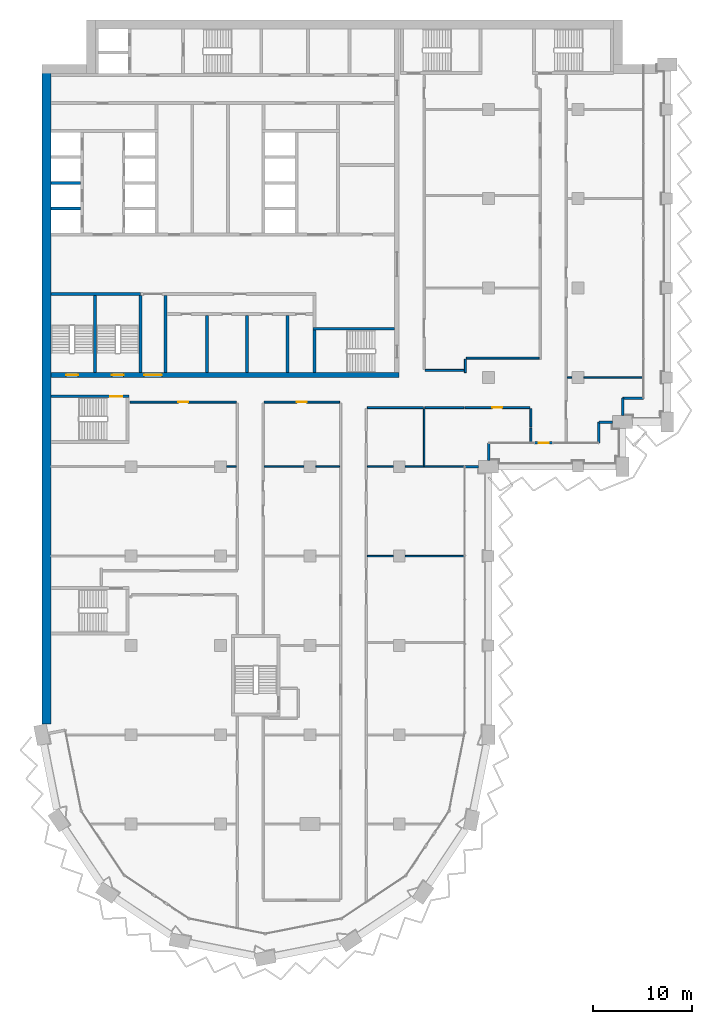
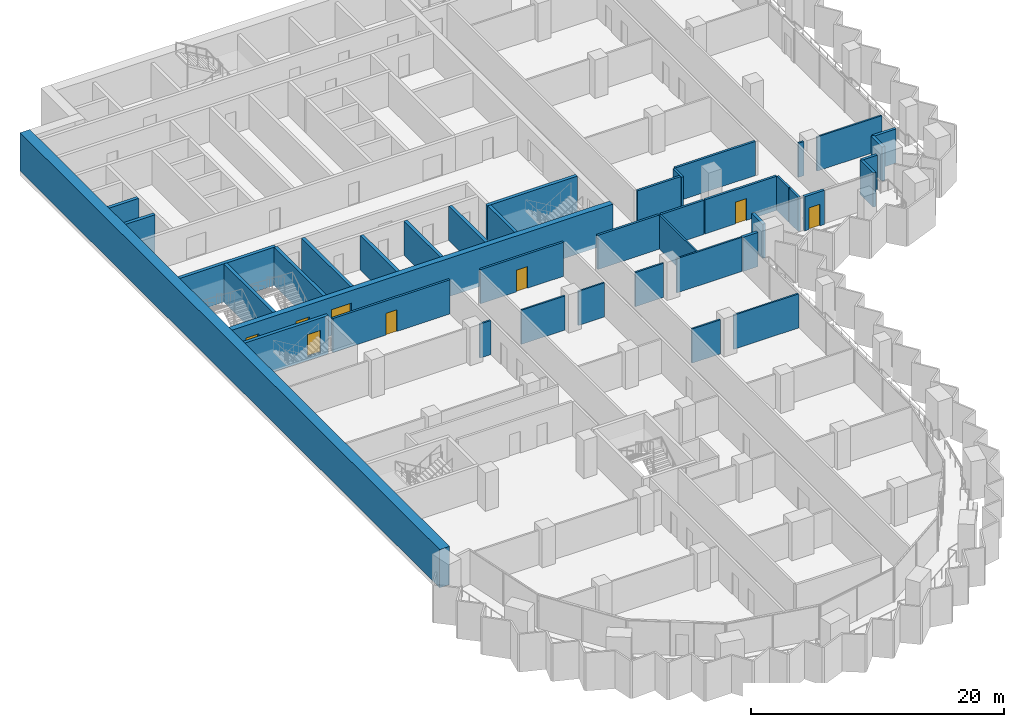
# One storey, part 12 of 23: 41 walls, 8 doors, 8 openings.
"""IFC4 building model written with IfcOpenShell, lengths in metres."""

import ifcopenshell
import ifcopenshell.guid

model = None  # the IFC model being written
_history = None  # IfcOwnerHistory: only IFC2X3 demands one
_inside = {}  # id of a spatial element -> (the spatial element, [elements in it])
_under = {}  # id of a project, library or spatial element -> (it, [spatial elements below it])
_declared = {}  # id of a project -> (the project, [libraries it declares])
_typed = {}  # id of a type object -> (the type object, [elements of that type])
_made_of = {}  # id of a material, layer set ... -> (it, [elements and type objects made of it])


def new_model(schema):
    """Start an empty IFC model of exactly this schema.

    Asked for "IFC4X3", IfcOpenShell would pick the latest addendum, in which some entities
    have other attributes; the version numbers below select the first issue.
    IFC2X3 requires an IfcOwnerHistory on every rooted entity: one is made here for all.
    """
    global model, _history
    if schema == "IFC4X3":
        model = ifcopenshell.file(schema_version=(4, 3, 0, 0))
    else:
        model = ifcopenshell.file(schema=schema)
    _inside.clear()
    _under.clear()
    _declared.clear()
    _typed.clear()
    _made_of.clear()
    _history = None
    if model.schema == "IFC2X3":
        org = make("IfcOrganization", Name="unknown")
        user = make(
            "IfcPersonAndOrganization",
            ThePerson=make("IfcPerson", FamilyName="unknown"),
            TheOrganization=org,
        )
        app = make(
            "IfcApplication",
            ApplicationDeveloper=org,
            Version="unknown",
            ApplicationFullName="unknown",
            ApplicationIdentifier="unknown",
        )
        _history = make(
            "IfcOwnerHistory",
            OwningUser=user,
            OwningApplication=app,
            ChangeAction="ADDED",
            CreationDate=0,
        )
    return model


def make(cls, **values):
    """One entity of the class cls with the attributes given. An attribute that is None is left unset."""
    return model.create_entity(
        cls, **{name: value for name, value in values.items() if value is not None}
    )


def rooted(cls, **values):
    """An entity with a GlobalId (a new one), such as an element, a storey or a relation."""
    return make(cls, GlobalId=ifcopenshell.guid.new(), OwnerHistory=_history, **values)


def si_unit(unit_type, name, prefix=None):
    """IfcSIUnit, for example si_unit("LENGTHUNIT", "METRE", prefix="MILLI")."""
    return make("IfcSIUnit", UnitType=unit_type, Prefix=prefix, Name=name)


def assignment(units):
    """IfcUnitAssignment: the units of a project."""
    return None if units is None else make("IfcUnitAssignment", Units=units)


def point(xyz):
    """IfcCartesianPoint."""
    return None if xyz is None else make("IfcCartesianPoint", Coordinates=xyz)


def direction(xyz):
    """IfcDirection."""
    return None if xyz is None else make("IfcDirection", DirectionRatios=xyz)


def frame(location, z_axis=None, x_axis=None):
    """IfcAxis2Placement3D, a coordinate frame: its origin and axes. An axis left out is left unset."""
    return make(
        "IfcAxis2Placement3D",
        Location=point(location),
        Axis=direction(z_axis),
        RefDirection=direction(x_axis),
    )


def frame_2d(location, x_axis=None):
    """IfcAxis2Placement2D, a coordinate frame in the plane: its origin and x axis."""
    return make(
        "IfcAxis2Placement2D", Location=point(location), RefDirection=direction(x_axis)
    )


def origin():
    """The frame at (0, 0, 0) with its axes left unset."""
    return frame((0.0, 0.0, 0.0))


def place(relative_to, where):
    """IfcLocalPlacement: puts the frame where relative to a parent placement (None: the world)."""
    return make(
        "IfcLocalPlacement", PlacementRelTo=relative_to, RelativePlacement=where
    )


def context(
    kind, dimensions, precision=None, world=None, true_north=None, identifier=None
):
    """IfcGeometricRepresentationContext, for example the 3D "Model" context."""
    return make(
        "IfcGeometricRepresentationContext",
        ContextIdentifier=identifier,
        ContextType=kind,
        CoordinateSpaceDimension=dimensions,
        Precision=precision,
        WorldCoordinateSystem=world,
        TrueNorth=true_north,
    )


def subcontext(parent, identifier, kind, view, scale=None):
    """IfcGeometricRepresentationSubContext, for example "Body" below "Model"."""
    return make(
        "IfcGeometricRepresentationSubContext",
        ContextIdentifier=identifier,
        ContextType=kind,
        ParentContext=parent,
        TargetScale=scale,
        TargetView=view,
    )


def project(units=None, contexts=None):
    """IfcProject with its units and contexts."""
    return rooted(
        "IfcProject",
        Name="project",
        RepresentationContexts=contexts,
        UnitsInContext=assignment(units),
    )


def spatial(cls, under=None, at=None, **own):
    """A site, building, storey or space (cls), placed at a placement, below another one or the project."""
    s = rooted(cls, ObjectPlacement=at, **own)
    if under is not None:
        _under.setdefault(under.id(), (under, []))[1].append(s)
    return s


def profile(cls, at=None, kind="AREA", **sizes):
    """A parametric profile (cls). Its sizes go by their IFC names, for example OverallWidth=200.0."""
    return make(cls, ProfileType=kind, Position=at, **sizes)


def rectangle(**sizes):
    """IfcRectangleProfileDef."""
    return profile("IfcRectangleProfileDef", **sizes)


def extrude(swept, where, along, depth):
    """IfcExtrudedAreaSolid: the profile swept, set in the frame where, extruded along a direction by depth."""
    return make(
        "IfcExtrudedAreaSolid",
        SweptArea=swept,
        Position=where,
        ExtrudedDirection=direction(along),
        Depth=depth,
    )


def shape(context_of_items, identifier, shape_type, items):
    """IfcShapeRepresentation: the items that make up one representation, for example the "Body"."""
    return make(
        "IfcShapeRepresentation",
        ContextOfItems=context_of_items,
        RepresentationIdentifier=identifier,
        RepresentationType=shape_type,
        Items=items,
    )


def material(Name=None, Category=None):
    """IfcMaterial."""
    return make("IfcMaterial", Name=Name, Category=Category)


def layer(
    of_material, thickness, ventilated=None, Name=None, Category=None, Priority=None
):
    """IfcMaterialLayer: one layer of a wall or slab, of a material (None: an air gap)."""
    return make(
        "IfcMaterialLayer",
        Material=of_material,
        LayerThickness=thickness,
        IsVentilated=ventilated,
        Name=Name,
        Category=Category,
        Priority=Priority,
    )


def layer_set(layers, Name=None):
    """IfcMaterialLayerSet."""
    return make("IfcMaterialLayerSet", MaterialLayers=layers, LayerSetName=Name)


def made_of(thing, what):
    """Note that an element or type object is made of a material, layer set ...; save() writes the relation."""
    if what is not None:
        _made_of.setdefault(what.id(), (what, []))[1].append(thing)
    return thing


def type_object(cls, material=None, **own):
    """A type object (cls), such as IfcWallType, which elements share."""
    return made_of(rooted(cls, **own), material)


def element(
    cls,
    number,
    at=None,
    inside=None,
    cuts=None,
    type_object=None,
    material=None,
    context=None,
    identifier="Body",
    shape_type=None,
    held_by="IfcProductDefinitionShape",
    body=None,
    shapes=None,
    **own,
):
    """One element of the class cls, such as IfcWall. Its Tag is "e" and its number.

    at: its placement. inside: the storey or other place that contains it. cuts: it is an
    opening in that element (IfcRelVoidsElement). A single representation is given by context,
    identifier, shape_type and body (its items); several are given by shapes. held_by: the class
    of the entity that holds the representations. save() writes the other relations.
    """
    e = rooted(cls, Tag="e%d" % number, ObjectPlacement=at, **own)
    if body is not None:
        shapes = [shape(context, identifier, shape_type, body)]
    if shapes is not None:
        e.Representation = make(held_by, Representations=shapes)
    if inside is not None:
        _inside.setdefault(inside.id(), (inside, []))[1].append(e)
    if cuts is not None:
        rooted(
            "IfcRelVoidsElement", RelatingBuildingElement=cuts, RelatedOpeningElement=e
        )
    if type_object is not None:
        _typed.setdefault(type_object.id(), (type_object, []))[1].append(e)
    return made_of(e, material)


def fill(opening, filler):
    """IfcRelFillsElement: the door or window that sits in an opening."""
    return rooted(
        "IfcRelFillsElement",
        RelatingOpeningElement=opening,
        RelatedBuildingElement=filler,
    )


def aggregate(whole, parts):
    """IfcRelAggregates: a whole, such as a stair, and the parts it consists of."""
    return rooted("IfcRelAggregates", RelatingObject=whole, RelatedObjects=parts)


def save(model, path):
    """Write the relations noted so far, then the file.

    IfcRelAggregates (storeys below a building ...), IfcRelContainedInSpatialStructure (elements
    in a storey), IfcRelDefinesByType, IfcRelAssociatesMaterial and IfcRelDeclares: one each for
    every whole, place, type object, material and project.
    """
    for whole, parts in _under.values():
        aggregate(whole, parts)
    for where, things in _inside.values():
        rooted(
            "IfcRelContainedInSpatialStructure",
            RelatedElements=things,
            RelatingStructure=where,
        )
    for kind, things in _typed.values():
        rooted("IfcRelDefinesByType", RelatedObjects=things, RelatingType=kind)
    for what, things in _made_of.values():
        rooted("IfcRelAssociatesMaterial", RelatedObjects=things, RelatingMaterial=what)
    for by, libraries in _declared.values():
        rooted("IfcRelDeclares", RelatingContext=by, RelatedDefinitions=libraries)
    model.write(path)


model = new_model("IFC4")

# Units and contexts
model_context = context("Model", 3, precision=1e-05, world=origin(), true_north=direction((0.0, 1.0)))
body_context = subcontext(model_context, "Body", "Model", "MODEL_VIEW")
ifc_project = project(units=[si_unit("LENGTHUNIT", "METRE"), si_unit("AREAUNIT", "SQUARE_METRE"), si_unit("VOLUMEUNIT", "CUBIC_METRE"), si_unit("PLANEANGLEUNIT", "RADIAN"), si_unit("MASSUNIT", "GRAM", prefix="KILO")], contexts=[model_context])

# Site, building, storey
site_placement = place(None, origin())
site = spatial("IfcSite", under=ifc_project, at=site_placement, CompositionType="ELEMENT")
building_placement = place(site_placement, origin())
building = spatial("IfcBuilding", under=site, at=building_placement, Name="Hunhe Ridgeline Campus", CompositionType="ELEMENT")
storey_placement = place(building_placement, frame((0.0, 0.0, 152.300048828125)))
storey = spatial("IfcBuildingStorey", under=building, at=storey_placement, Name="L38", CompositionType="ELEMENT", Elevation=152.300048828125)

# Walls
ifc_material_1 = material(Name="Masonry concrete blockwork", Category="masonry")
ifc_layer_1 = layer(ifc_material_1, 0.300048828125)
ifc_layer_set_1 = layer_set([ifc_layer_1], Name="Core room partition 300 concrete block")
wall_type_1 = type_object("IfcWallType", Name="Core room partition 300 concrete block", PredefinedType="PARTITIONING", material=ifc_layer_set_1)
wall_1_placement = place(storey_placement, frame((12.449951171875, 63.5, 0.0), z_axis=(0.0, 0.0, 1.0), x_axis=(0.0, 1.0, 0.0)))
element("IfcWall", 1, at=wall_1_placement, inside=storey, type_object=wall_type_1, Name="L38 core partition 41", PredefinedType="PARTITIONING", context=body_context, shape_type="SweptSolid", body=[
    extrude(rectangle(XDim=7.75, YDim=0.300048828125, at=frame_2d((3.875, 0.0))), origin(), (0.0, 0.0, 1.0), 3.300048828125),
])
for number, where, z_axis, x_axis, name in (
    (2, (16.64990234375, 63.5, 0.0), (0.0, 0.0, 1.0), (0.0, 1.0, 0.0), "L38 core partition 44"),
    (3, (20.64990234375, 63.5, 0.0), (0.0, 0.0, 1.0), (0.0, 1.0, 0.0), "L38 core partition 47"),
    (4, (24.75, 63.5, 0.0), (0.0, 0.0, 1.0), (0.0, 1.0, 0.0), "L38 core partition 52"),
):
    element("IfcWall", number, at=place(storey_placement, frame(where, z_axis=z_axis, x_axis=x_axis)), inside=storey, type_object=wall_type_1, Name=name, PredefinedType="PARTITIONING", context=body_context, shape_type="SweptSolid", body=[
        extrude(rectangle(XDim=5.75, YDim=0.300048828125, at=frame_2d((2.875, 0.0))), origin(), (0.0, 0.0, 1.0), 3.300048828125),
    ])

# Wall, openings, doors
ifc_material_2 = material(Name="Concrete C70", Category="concrete")
ifc_layer_2 = layer(ifc_material_2, 0.5)
ifc_layer_set_2 = layer_set([ifc_layer_2], Name="Core wall 500 reinforced concrete C70")
wall_type_2 = type_object("IfcWallType", Name="Core wall 500 reinforced concrete C70", PredefinedType="SOLIDWALL", material=ifc_layer_set_2)
wall_2_placement = place(storey_placement, frame((0.89990234375, 63.25, -0.400146484375), z_axis=(0.0, 0.0, 1.0), x_axis=(1.0, 0.0, 0.0)))
wall_2 = element("IfcWall", 5, at=wall_2_placement, inside=storey, type_object=wall_type_2, Name="L38 core wall 7", PredefinedType="SOLIDWALL", context=body_context, shape_type="SweptSolid", body=[
    extrude(rectangle(XDim=35.10009765625, YDim=0.5, at=frame_2d((17.550048828125, 0.0))), origin(), (0.0, 0.0, 1.0), 3.7001953125),
])
opening_1_placement = place(wall_2_placement, frame((9.39990234375, 0.0, 0.39990234375)))
opening_1 = element("IfcOpeningElement", 6, at=opening_1_placement, cuts=wall_2, Name="Opening CD6", PredefinedType="OPENING", context=body_context, shape_type="SweptSolid", body=[
    extrude(rectangle(XDim=1.800048828125, YDim=2.10009765625, at=frame_2d((0.89990234375, 1.050048828125))), frame((0.0, 0.25, 0.0), z_axis=(0.0, -1.0, 0.0), x_axis=(1.0, 0.0, 0.0)), (0.0, 0.0, 1.0), 0.5),
])
opening_2_placement = place(wall_2_placement, frame((1.550048828125, 0.0, 0.39990234375)))
opening_2 = element("IfcOpeningElement", 7, at=opening_2_placement, cuts=wall_2, Name="Opening CD13", PredefinedType="OPENING", context=body_context, shape_type="SweptSolid", body=[
    extrude(rectangle(XDim=1.199951171875, YDim=2.10009765625, at=frame_2d((0.60009765625, 1.050048828125))), frame((0.0, 0.25, 0.0), z_axis=(0.0, -1.0, 0.0), x_axis=(1.0, 0.0, 0.0)), (0.0, 0.0, 1.0), 0.5),
])
opening_3_placement = place(wall_2_placement, frame((6.14990234375, 0.0, 0.39990234375)))
opening_3 = element("IfcOpeningElement", 8, at=opening_3_placement, cuts=wall_2, Name="Opening CD14", PredefinedType="OPENING", context=body_context, shape_type="SweptSolid", body=[
    extrude(rectangle(XDim=1.199951171875, YDim=2.10009765625, at=frame_2d((0.60009765625, 1.050048828125))), frame((0.0, 0.25, 0.0), z_axis=(0.0, -1.0, 0.0), x_axis=(1.0, 0.0, 0.0)), (0.0, 0.0, 1.0), 0.5),
])
ifc_material_3 = material(Name="Anodised aluminium and glass", Category="aluminium")
door_type_1 = type_object("IfcDoorType", Name="Glazed double door 1800x2100", OperationType="DOUBLE_DOOR_SINGLE_SWING", PredefinedType="DOOR", material=ifc_material_3)
door_1_placement = place(opening_1_placement, frame((1.800048828125, 0.0, 0.0), z_axis=(0.0, 0.0, 1.0), x_axis=(-1.0, 0.0, 0.0)))
door_1 = element("IfcDoor", 9, at=door_1_placement, inside=storey, type_object=door_type_1, Name="L38 door VEST-FLOOR", OperationType="DOUBLE_DOOR_SINGLE_SWING", OverallHeight=2.10009765625, OverallWidth=1.800048828125, PredefinedType="DOOR", context=body_context, shape_type="SweptSolid", body=[
    extrude(rectangle(XDim=1.800048828125, YDim=2.10009765625, at=frame_2d((0.89990234375, 1.050048828125))), frame((0.0, 0.02490234375, 0.0), z_axis=(0.0, -1.0, 0.0), x_axis=(1.0, 0.0, 0.0)), (0.0, 0.0, 1.0), 0.050048828125),
])
fill(opening_1, door_1)
ifc_material_4 = material(Name="Hollow metal fire door leaf")
door_type_2 = type_object("IfcDoorType", Name="Stair door 1200x2100 FD60", OperationType="SINGLE_SWING_LEFT", PredefinedType="DOOR", material=ifc_material_4)
door_2_placement = place(opening_2_placement, frame((1.199951171875, 0.0, 0.0), z_axis=(0.0, 0.0, 1.0), x_axis=(-1.0, 0.0, 0.0)))
door_2 = element("IfcDoor", 10, at=door_2_placement, inside=storey, type_object=door_type_2, Name="L38 door S3", OperationType="SINGLE_SWING_RIGHT", OverallHeight=2.10009765625, OverallWidth=1.199951171875, PredefinedType="DOOR", context=body_context, shape_type="SweptSolid", body=[
    extrude(rectangle(XDim=1.199951171875, YDim=2.10009765625, at=frame_2d((0.60009765625, 1.050048828125))), frame((0.0, 0.02490234375, 0.0), z_axis=(0.0, -1.0, 0.0), x_axis=(1.0, 0.0, 0.0)), (0.0, 0.0, 1.0), 0.050048828125),
])
fill(opening_2, door_2)
door_3_placement = place(opening_3_placement, frame((1.199951171875, 0.0, 0.0), z_axis=(0.0, 0.0, 1.0), x_axis=(-1.0, 0.0, 0.0)))
door_3 = element("IfcDoor", 11, at=door_3_placement, inside=storey, type_object=door_type_2, Name="L38 door S4", OperationType="SINGLE_SWING_LEFT", OverallHeight=2.10009765625, OverallWidth=1.199951171875, PredefinedType="DOOR", context=body_context, shape_type="SweptSolid", body=[
    extrude(rectangle(XDim=1.199951171875, YDim=2.10009765625, at=frame_2d((0.60009765625, 1.050048828125))), frame((0.0, 0.02490234375, 0.0), z_axis=(0.0, -1.0, 0.0), x_axis=(1.0, 0.0, 0.0)), (0.0, 0.0, 1.0), 0.050048828125),
])
fill(opening_3, door_3)

# Walls
ifc_material_5 = material(Name="Concrete C30", Category="concrete")
ifc_layer_3 = layer(ifc_material_5, 0.25)
ifc_layer_set_3 = layer_set([ifc_layer_3], Name="Corner return wall 250 Concrete C30")
wall_type_3 = type_object("IfcWallType", Name="Corner return wall 250 Concrete C30", PredefinedType="SOLIDWALL", material=ifc_layer_set_3)
wall_3_placement = place(storey_placement, frame((42.59912109375, 54.00048828125, 0.0), z_axis=(0.0, 0.0, 1.0), x_axis=(0.999999984814, 0.000174276749, 0.0)))
element("IfcWall", 12, at=wall_3_placement, inside=storey, type_object=wall_type_3, Name="Corner return wall 2", PredefinedType="SOLIDWALL", context=body_context, shape_type="SweptSolid", body=[
    extrude(rectangle(XDim=1.40087890625, YDim=0.25, at=frame_2d((0.700439453125, 0.0))), origin(), (0.0, 0.0, 1.0), 3.300048828125),
])
wall_4_placement = place(storey_placement, frame((44.999267578125, 54.64990234375, 0.0), z_axis=(0.0, 0.0, 1.0), x_axis=(0.000278862231, 0.999999961118, 0.0)))
element("IfcWall", 13, at=wall_4_placement, inside=storey, type_object=wall_type_3, Name="Corner return wall 3", PredefinedType="SOLIDWALL", context=body_context, shape_type="SweptSolid", body=[
    extrude(rectangle(XDim=1.7509765625, YDim=0.25, at=frame_2d((0.87548828125, 0.0))), origin(), (0.0, 0.0, 1.0), 3.300048828125),
])
wall_5_placement = place(storey_placement, frame((56.09912109375, 56.40087890625, 0.0), z_axis=(0.0, 0.0, 1.0), x_axis=(0.00011626555, 0.999999993241, 0.0)))
element("IfcWall", 14, at=wall_5_placement, inside=storey, type_object=wall_type_3, Name="Corner return wall 4", PredefinedType="SOLIDWALL", context=body_context, shape_type="SweptSolid", body=[
    extrude(rectangle(XDim=2.099853515625, YDim=0.25, at=frame_2d((1.0498046875, 0.0))), origin(), (0.0, 0.0, 1.0), 3.300048828125),
])
wall_6_placement = place(storey_placement, frame((56.099365234375, 58.500732421875, 0.0), z_axis=(0.0, 0.0, 1.0), x_axis=(0.999999984809, 0.000174307127, 0.0)))
element("IfcWall", 15, at=wall_6_placement, inside=storey, type_object=wall_type_3, Name="Corner return wall 5", PredefinedType="SOLIDWALL", context=body_context, shape_type="SweptSolid", body=[
    extrude(rectangle(XDim=1.400634765625, YDim=0.25, at=frame_2d((0.7001953125, 0.0))), origin(), (0.0, 0.0, 1.0), 3.300048828125),
])
wall_7_placement = place(storey_placement, frame((58.4990234375, 59.14990234375, 0.0), z_axis=(0.0, 0.0, 1.0), x_axis=(0.000139450563, 0.999999990277, 0.0)))
element("IfcWall", 16, at=wall_7_placement, inside=storey, type_object=wall_type_3, Name="Corner return wall 6", PredefinedType="SOLIDWALL", context=body_context, shape_type="SweptSolid", body=[
    extrude(rectangle(XDim=1.750732421875, YDim=0.25, at=frame_2d((0.87548828125, 0.0))), origin(), (0.0, 0.0, 1.0), 3.300048828125),
])
wall_8_placement = place(storey_placement, frame((58.499267578125, 60.900634765625, 0.0), z_axis=(0.0, 0.0, 1.0), x_axis=(0.999999993241, 0.00011626555, 0.0)))
element("IfcWall", 17, at=wall_8_placement, inside=storey, type_object=wall_type_3, Name="Corner return wall 7", PredefinedType="SOLIDWALL", context=body_context, shape_type="SweptSolid", body=[
    extrude(rectangle(XDim=2.099853515625, YDim=0.25, at=frame_2d((1.0498046875, 0.0))), origin(), (0.0, 0.0, 1.0), 3.300048828125),
])
ifc_material_6 = material(Name="Gypsum board partition")
ifc_layer_4 = layer(ifc_material_6, 0.199951171875)
ifc_layer_set_4 = layer_set([ifc_layer_4], Name="Corridor partition 200 gypsum board on steel studs")
wall_type_4 = type_object("IfcWallType", Name="Corridor partition 200 gypsum board on steel studs", PredefinedType="PARTITIONING", material=ifc_layer_set_4)
wall_9_placement = place(storey_placement, frame((38.425048828125, 59.950927734375, 0.0), z_axis=(0.0, 0.0, 1.0), x_axis=(-1.0, 0.0, 0.0)))
element("IfcWall", 18, at=wall_9_placement, inside=storey, type_object=wall_type_4, Name="F-L38-wall-039", PredefinedType="PARTITIONING", context=body_context, shape_type="SweptSolid", body=[
    extrude(rectangle(XDim=5.625, YDim=0.199951171875, at=frame_2d((2.8125, 0.0))), origin(), (0.0, 0.0, 1.0), 3.300048828125),
])
wall_10_placement = place(storey_placement, frame((42.5, 59.950927734375, 0.0), z_axis=(0.0, 0.0, 1.0), x_axis=(-1.0, 0.0, 0.0)))
element("IfcWall", 19, at=wall_10_placement, inside=storey, type_object=wall_type_4, Name="F-L38-wall-040", PredefinedType="PARTITIONING", context=body_context, shape_type="SweptSolid", body=[
    extrude(rectangle(XDim=3.925048828125, YDim=0.199951171875, at=frame_2d((1.96240234375, 0.0))), origin(), (0.0, 0.0, 1.0), 3.300048828125),
])

# Wall, opening, door
wall_11_placement = place(storey_placement, frame((49.14892578125, 59.950927734375, 0.0), z_axis=(0.0, 0.0, 1.0), x_axis=(-1.0, 0.0, 0.0)))
wall_11 = element("IfcWall", 20, at=wall_11_placement, inside=storey, type_object=wall_type_4, Name="F-L38-wall-041", PredefinedType="PARTITIONING", context=body_context, shape_type="SweptSolid", body=[
    extrude(rectangle(XDim=6.548828125, YDim=0.199951171875, at=frame_2d((3.2744140625, 0.0))), origin(), (0.0, 0.0, 1.0), 3.300048828125),
])
opening_4_placement = place(wall_11_placement, frame((2.7744140625, 0.0, 0.0)))
opening_4 = element("IfcOpeningElement", 21, at=opening_4_placement, cuts=wall_11, Name="Opening RD1-025", PredefinedType="OPENING", context=body_context, shape_type="SweptSolid", body=[
    extrude(rectangle(XDim=1.0, YDim=2.10009765625, at=frame_2d((0.5, 1.050048828125))), frame((0.0, 0.10009765625, 0.0), z_axis=(0.0, -1.0, 0.0), x_axis=(1.0, 0.0, 0.0)), (0.0, 0.0, 1.0), 0.199951171875),
])
ifc_material_7 = material(Name="Timber door leaf", Category="wood")
door_type_3 = type_object("IfcDoorType", Name="Single fire door 1000x2100 timber FD60", OperationType="NOTDEFINED", PredefinedType="DOOR", material=ifc_material_7)
door_4_placement = place(opening_4_placement, origin())
door_4 = element("IfcDoor", 22, at=door_4_placement, inside=storey, type_object=door_type_3, Name="F-L38-door-025", OperationType="SINGLE_SWING_RIGHT", OverallHeight=2.10009765625, OverallWidth=1.0, PredefinedType="DOOR", context=body_context, shape_type="SweptSolid", body=[
    extrude(rectangle(XDim=1.0, YDim=2.10009765625, at=frame_2d((0.5, 1.050048828125))), frame((0.0, 0.02490234375, 0.0), z_axis=(0.0, -1.0, 0.0), x_axis=(1.0, 0.0, 0.0)), (0.0, 0.0, 1.0), 0.050048828125),
])
fill(opening_4, door_4)

wall_12_placement = place(storey_placement, frame((19.60009765625, 60.5, 0.0), z_axis=(0.0, 0.0, 1.0), x_axis=(-1.0, 0.0, 0.0)))
wall_12 = element("IfcWall", 23, at=wall_12_placement, inside=storey, type_object=wall_type_4, Name="F-L38-wall-042", PredefinedType="PARTITIONING", context=body_context, shape_type="SweptSolid", body=[
    extrude(rectangle(XDim=10.696044921875, YDim=0.199951171875, at=frame_2d((5.34814453125, 0.0))), origin(), (0.0, 0.0, 1.0), 3.300048828125),
])
opening_5_placement = place(wall_12_placement, frame((4.847900390625, 0.0, 0.0)))
opening_5 = element("IfcOpeningElement", 24, at=opening_5_placement, cuts=wall_12, Name="Opening RD1-026", PredefinedType="OPENING", context=body_context, shape_type="SweptSolid", body=[
    extrude(rectangle(XDim=1.0, YDim=2.10009765625, at=frame_2d((0.5, 1.050048828125))), frame((0.0, 0.10009765625, 0.0), z_axis=(0.0, -1.0, 0.0), x_axis=(1.0, 0.0, 0.0)), (0.0, 0.0, 1.0), 0.199951171875),
])
door_5_placement = place(opening_5_placement, origin())
door_5 = element("IfcDoor", 25, at=door_5_placement, inside=storey, type_object=door_type_3, Name="F-L38-door-026", OperationType="SINGLE_SWING_LEFT", OverallHeight=2.10009765625, OverallWidth=1.0, PredefinedType="DOOR", context=body_context, shape_type="SweptSolid", body=[
    extrude(rectangle(XDim=1.0, YDim=2.10009765625, at=frame_2d((0.5, 1.050048828125))), frame((0.0, 0.02490234375, 0.0), z_axis=(0.0, -1.0, 0.0), x_axis=(1.0, 0.0, 0.0)), (0.0, 0.0, 1.0), 0.050048828125),
])
fill(opening_5, door_5)

wall_13_placement = place(storey_placement, frame((30.0, 60.5, 0.0), z_axis=(0.0, 0.0, 1.0), x_axis=(-1.0, 0.0, 0.0)))
wall_13 = element("IfcWall", 26, at=wall_13_placement, inside=storey, type_object=wall_type_4, Name="F-L38-wall-043", PredefinedType="PARTITIONING", context=body_context, shape_type="SweptSolid", body=[
    extrude(rectangle(XDim=7.60009765625, YDim=0.199951171875, at=frame_2d((3.800048828125, 0.0))), origin(), (0.0, 0.0, 1.0), 3.300048828125),
])
opening_6_placement = place(wall_13_placement, frame((3.300048828125, 0.0, 0.0)))
opening_6 = element("IfcOpeningElement", 27, at=opening_6_placement, cuts=wall_13, Name="Opening RD1-027", PredefinedType="OPENING", context=body_context, shape_type="SweptSolid", body=[
    extrude(rectangle(XDim=1.0, YDim=2.10009765625, at=frame_2d((0.5, 1.050048828125))), frame((0.0, 0.10009765625, 0.0), z_axis=(0.0, -1.0, 0.0), x_axis=(1.0, 0.0, 0.0)), (0.0, 0.0, 1.0), 0.199951171875),
])
door_6_placement = place(opening_6_placement, origin())
door_6 = element("IfcDoor", 28, at=door_6_placement, inside=storey, type_object=door_type_3, Name="F-L38-door-027", OperationType="SINGLE_SWING_LEFT", OverallHeight=2.10009765625, OverallWidth=1.0, PredefinedType="DOOR", context=body_context, shape_type="SweptSolid", body=[
    extrude(rectangle(XDim=1.0, YDim=2.10009765625, at=frame_2d((0.5, 1.050048828125))), frame((0.0, 0.02490234375, 0.0), z_axis=(0.0, -1.0, 0.0), x_axis=(1.0, 0.0, 0.0)), (0.0, 0.0, 1.0), 0.050048828125),
])
fill(opening_6, door_6)

# Walls
wall_14_placement = place(storey_placement, frame((38.60009765625, 63.699951171875, 0.0), z_axis=(0.0, 0.0, 1.0), x_axis=(1.0, 0.0, 0.0)))
element("IfcWall", 29, at=wall_14_placement, inside=storey, type_object=wall_type_4, Name="F-L38-wall-046", PredefinedType="PARTITIONING", context=body_context, shape_type="SweptSolid", body=[
    extrude(rectangle(XDim=3.949951171875, YDim=0.199951171875, at=frame_2d((1.97509765625, 0.0))), origin(), (0.0, 0.0, 1.0), 3.300048828125),
])
wall_15_placement = place(storey_placement, frame((42.75, 64.949951171875, 0.0), z_axis=(0.0, 0.0, 1.0), x_axis=(1.0, 0.0, 0.0)))
element("IfcWall", 30, at=wall_15_placement, inside=storey, type_object=wall_type_4, Name="F-L38-wall-047", PredefinedType="PARTITIONING", context=body_context, shape_type="SweptSolid", body=[
    extrude(rectangle(XDim=7.35009765625, YDim=0.199951171875, at=frame_2d((3.675048828125, 0.0))), origin(), (0.0, 0.0, 1.0), 3.300048828125),
])
wall_16_placement = place(storey_placement, frame((42.64990234375, 63.487548828125, 0.0), z_axis=(0.0, 0.0, 1.0), x_axis=(0.0, 1.0, 0.0)))
element("IfcWall", 31, at=wall_16_placement, inside=storey, type_object=wall_type_4, Name="F-L38-wall-071", PredefinedType="PARTITIONING", context=body_context, shape_type="SweptSolid", body=[
    extrude(rectangle(XDim=1.362548828125, YDim=0.199951171875, at=frame_2d((0.68115234375, 0.0))), origin(), (0.0, 0.0, 1.0), 3.300048828125),
])
wall_17_placement = place(storey_placement, frame((49.2490234375, 56.455078125, 0.0), z_axis=(0.0, 0.0, 1.0), x_axis=(0.0, 1.0, 0.0)))
element("IfcWall", 32, at=wall_17_placement, inside=storey, type_object=wall_type_4, Name="F-L38-wall-072", PredefinedType="PARTITIONING", context=body_context, shape_type="SweptSolid", body=[
    extrude(rectangle(XDim=1.44580078125, YDim=0.199951171875, at=frame_2d((0.722900390625, 0.0))), origin(), (0.0, 0.0, 1.0), 3.300048828125),
])
wall_18_placement = place(storey_placement, frame((49.2490234375, 58.0009765625, 0.0), z_axis=(0.0, 0.0, 1.0), x_axis=(0.0, 1.0, 0.0)))
element("IfcWall", 33, at=wall_18_placement, inside=storey, type_object=wall_type_4, Name="F-L38-wall-073", PredefinedType="PARTITIONING", context=body_context, shape_type="SweptSolid", body=[
    extrude(rectangle(XDim=1.85009765625, YDim=0.199951171875, at=frame_2d((0.925048828125, 0.0))), origin(), (0.0, 0.0, 1.0), 3.300048828125),
])

# Wall, opening, door
ifc_layer_5 = layer(ifc_material_5, 0.25)
ifc_layer_set_5 = layer_set([ifc_layer_5], Name="Loggia door pier wall 250 Concrete C30")
wall_type_5 = type_object("IfcWallType", Name="Loggia door pier wall 250 Concrete C30", PredefinedType="SOLIDWALL", material=ifc_layer_set_5)
wall_19_placement = place(storey_placement, frame((49.6494140625, 56.40087890625, 0.0), z_axis=(0.0, 0.0, 1.0), x_axis=(1.0, 0.0, 0.0)))
wall_19 = element("IfcWall", 34, at=wall_19_placement, inside=storey, type_object=wall_type_5, Name="Loggia door pier 3", PredefinedType="SOLIDWALL", context=body_context, shape_type="SweptSolid", body=[
    extrude(rectangle(XDim=1.800048828125, YDim=0.25, at=frame_2d((0.89990234375, 0.0))), origin(), (0.0, 0.0, 1.0), 3.300048828125),
])
opening_7_placement = place(wall_19_placement, frame((0.39990234375, 0.0, 0.0)))
opening_7 = element("IfcOpeningElement", 35, at=opening_7_placement, cuts=wall_19, Name="Opening BD306", PredefinedType="OPENING", context=body_context, shape_type="SweptSolid", body=[
    extrude(rectangle(XDim=1.0, YDim=2.10009765625, at=frame_2d((0.5, 1.050048828125))), frame((0.0, 0.125, 0.0), z_axis=(0.0, -1.0, 0.0), x_axis=(1.0, 0.0, 0.0)), (0.0, 0.0, 1.0), 0.25),
])
ifc_material_8 = material(Name="Aluminium 6063", Category="aluminium")
door_type_4 = type_object("IfcDoorType", Name="Loggia glazed door 1000x2100", OperationType="NOTDEFINED", PredefinedType="DOOR", material=ifc_material_8)
door_7_placement = place(opening_7_placement, frame((1.0, 0.0, 0.0), z_axis=(0.0, 0.0, 1.0), x_axis=(-1.0, 0.0, 0.0)))
door_7 = element("IfcDoor", 36, at=door_7_placement, inside=storey, type_object=door_type_4, Name="Loggia door BD306", OperationType="SINGLE_SWING_LEFT", OverallHeight=2.10009765625, OverallWidth=1.0, PredefinedType="DOOR", context=body_context, shape_type="SweptSolid", body=[
    extrude(rectangle(XDim=1.0, YDim=2.10009765625, at=frame_2d((0.5, 1.050048828125))), frame((0.0, 0.02490234375, 0.0), z_axis=(0.0, -1.0, 0.0), x_axis=(1.0, 0.0, 0.0)), (0.0, 0.0, 1.0), 0.050048828125),
])
fill(opening_7, door_7)

# Walls
ifc_layer_6 = layer(ifc_material_6, 0.14990234375)
ifc_layer_set_6 = layer_set([ifc_layer_6], Name="Room partition 150 gypsum board on steel studs")
wall_type_6 = type_object("IfcWallType", Name="Room partition 150 gypsum board on steel studs", PredefinedType="PARTITIONING", material=ifc_layer_set_6)
wall_20_placement = place(storey_placement, frame((32.800048828125, 45.0, 0.0), z_axis=(0.0, 0.0, 1.0), x_axis=(1.0, 0.0, 0.0)))
element("IfcWall", 37, at=wall_20_placement, inside=storey, type_object=wall_type_6, Name="F-L38-wall-030", PredefinedType="PARTITIONING", context=body_context, shape_type="SweptSolid", body=[
    extrude(rectangle(XDim=2.599853515625, YDim=0.14990234375, at=frame_2d((1.2998046875, 0.0))), origin(), (0.0, 0.0, 1.0), 3.300048828125),
])
wall_21_placement = place(storey_placement, frame((36.60009765625, 45.0, 0.0), z_axis=(0.0, 0.0, 1.0), x_axis=(1.0, 0.0, 0.0)))
element("IfcWall", 38, at=wall_21_placement, inside=storey, type_object=wall_type_6, Name="F-L38-wall-031", PredefinedType="PARTITIONING", context=body_context, shape_type="SweptSolid", body=[
    extrude(rectangle(XDim=5.945068359375, YDim=0.14990234375, at=frame_2d((2.97265625, 0.0))), origin(), (0.0, 0.0, 1.0), 3.300048828125),
])
wall_22_placement = place(storey_placement, frame((18.60009765625, 54.0, 0.0), z_axis=(0.0, 0.0, 1.0), x_axis=(1.0, 0.0, 0.0)))
element("IfcWall", 39, at=wall_22_placement, inside=storey, type_object=wall_type_6, Name="F-L38-wall-034", PredefinedType="PARTITIONING", context=body_context, shape_type="SweptSolid", body=[
    extrude(rectangle(XDim=1.0, YDim=0.14990234375, at=frame_2d((0.5, 0.0))), origin(), (0.0, 0.0, 1.0), 3.300048828125),
])
wall_23_placement = place(storey_placement, frame((22.39990234375, 54.0, 0.0), z_axis=(0.0, 0.0, 1.0), x_axis=(1.0, 0.0, 0.0)))
element("IfcWall", 40, at=wall_23_placement, inside=storey, type_object=wall_type_6, Name="F-L38-wall-035", PredefinedType="PARTITIONING", context=body_context, shape_type="SweptSolid", body=[
    extrude(rectangle(XDim=4.0, YDim=0.14990234375, at=frame_2d((2.0, 0.0))), origin(), (0.0, 0.0, 1.0), 3.300048828125),
])
wall_24_placement = place(storey_placement, frame((27.60009765625, 54.0, 0.0), z_axis=(0.0, 0.0, 1.0), x_axis=(1.0, 0.0, 0.0)))
element("IfcWall", 41, at=wall_24_placement, inside=storey, type_object=wall_type_6, Name="F-L38-wall-036", PredefinedType="PARTITIONING", context=body_context, shape_type="SweptSolid", body=[
    extrude(rectangle(XDim=2.39990234375, YDim=0.14990234375, at=frame_2d((1.199951171875, 0.0))), origin(), (0.0, 0.0, 1.0), 3.300048828125),
])
wall_25_placement = place(storey_placement, frame((32.800048828125, 54.0, 0.0), z_axis=(0.0, 0.0, 1.0), x_axis=(1.0, 0.0, 0.0)))
element("IfcWall", 42, at=wall_25_placement, inside=storey, type_object=wall_type_6, Name="F-L38-wall-037", PredefinedType="PARTITIONING", context=body_context, shape_type="SweptSolid", body=[
    extrude(rectangle(XDim=2.599853515625, YDim=0.14990234375, at=frame_2d((1.2998046875, 0.0))), origin(), (0.0, 0.0, 1.0), 3.300048828125),
])
wall_26_placement = place(storey_placement, frame((36.60009765625, 54.0, 0.0), z_axis=(0.0, 0.0, 1.0), x_axis=(1.0, 0.0, 0.0)))
element("IfcWall", 43, at=wall_26_placement, inside=storey, type_object=wall_type_6, Name="F-L38-wall-038", PredefinedType="PARTITIONING", context=body_context, shape_type="SweptSolid", body=[
    extrude(rectangle(XDim=5.945068359375, YDim=0.14990234375, at=frame_2d((2.97265625, 0.0))), origin(), (0.0, 0.0, 1.0), 3.300048828125),
])
wall_27_placement = place(storey_placement, frame((52.89990234375, 63.0, 0.0), z_axis=(0.0, 0.0, 1.0), x_axis=(1.0, 0.0, 0.0)))
element("IfcWall", 44, at=wall_27_placement, inside=storey, type_object=wall_type_6, Name="F-L38-wall-044", PredefinedType="PARTITIONING", context=body_context, shape_type="SweptSolid", body=[
    extrude(rectangle(XDim=0.5, YDim=0.14990234375, at=frame_2d((0.25, 0.0))), origin(), (0.0, 0.0, 1.0), 3.300048828125),
])
wall_28_placement = place(storey_placement, frame((54.60009765625, 63.0, 0.0), z_axis=(0.0, 0.0, 1.0), x_axis=(1.0, 0.0, 0.0)))
element("IfcWall", 45, at=wall_28_placement, inside=storey, type_object=wall_type_6, Name="F-L38-wall-045", PredefinedType="PARTITIONING", context=body_context, shape_type="SweptSolid", body=[
    extrude(rectangle(XDim=5.94482421875, YDim=0.14990234375, at=frame_2d((2.972412109375, 0.0))), origin(), (0.0, 0.0, 1.0), 3.300048828125),
])
wall_29_placement = place(storey_placement, frame((38.5, 59.85107421875, 0.0), z_axis=(0.0, 0.0, 1.0), x_axis=(0.0, -1.0, 0.0)))
element("IfcWall", 46, at=wall_29_placement, inside=storey, type_object=wall_type_6, Name="F-L38-wall-069", PredefinedType="PARTITIONING", context=body_context, shape_type="SweptSolid", body=[
    extrude(rectangle(XDim=5.776123046875, YDim=0.14990234375, at=frame_2d((2.88818359375, 0.0))), origin(), (0.0, 0.0, 1.0), 3.300048828125),
])
ifc_layer_7 = layer(ifc_material_2, 0.300048828125)
ifc_layer_set_7 = layer_set([ifc_layer_7], Name="Shaft wall 300 reinforced concrete C70")
wall_type_7 = type_object("IfcWallType", Name="Shaft wall 300 reinforced concrete C70", PredefinedType="SOLIDWALL", material=ifc_layer_set_7)
for number, where, z_axis, x_axis, name in (
    (47, (0.89990234375, 80.0, -0.400146484375), (0.0, 0.0, 1.0), (1.0, 0.0, 0.0), "L38 core wall 14"),
    (48, (0.89990234375, 82.60009765625, -0.400146484375), (0.0, 0.0, 1.0), (1.0, 0.0, 0.0), "L38 core wall 17"),
):
    element("IfcWall", number, at=place(storey_placement, frame(where, z_axis=z_axis, x_axis=x_axis)), inside=storey, type_object=wall_type_7, Name=name, PredefinedType="SOLIDWALL", context=body_context, shape_type="SweptSolid", body=[
        extrude(rectangle(XDim=3.0, YDim=0.300048828125, at=frame_2d((1.5, 0.0))), origin(), (0.0, 0.0, 1.0), 3.7001953125),
    ])
ifc_layer_8 = layer(ifc_material_2, 0.89990234375)
ifc_layer_set_8 = layer_set([ifc_layer_8], Name="Spine wall 900 Concrete C70")
wall_type_8 = type_object("IfcWallType", Name="Spine wall 900 Concrete C70", PredefinedType="SHEAR", material=ifc_layer_set_8)
wall_30_placement = place(storey_placement, frame((0.449951171875, 94.5, 0.0), z_axis=(0.0, 0.0, 1.0), x_axis=(0.0, -1.0, 0.0)))
element("IfcWall", 49, at=wall_30_placement, inside=storey, type_object=wall_type_8, Name="Spine wall SW2-1 L38", PredefinedType="SHEAR", context=body_context, shape_type="SweptSolid", body=[
    extrude(rectangle(XDim=66.430419921875, YDim=0.89990234375, at=frame_2d((33.21533203125, 0.0))), origin(), (0.0, 0.0, 1.0), 3.699951171875),
])

# Wall, opening, door
ifc_layer_9 = layer(ifc_material_2, 0.300048828125)
ifc_layer_set_9 = layer_set([ifc_layer_9], Name="Stair wall 300 reinforced concrete C70")
wall_type_9 = type_object("IfcWallType", Name="Stair wall 300 reinforced concrete C70", PredefinedType="SOLIDWALL", material=ifc_layer_set_9)
wall_31_placement = place(storey_placement, frame((0.89990234375, 61.10009765625, -0.400146484375), z_axis=(0.0, 0.0, 1.0), x_axis=(1.0, 0.0, 0.0)))
wall_31 = element("IfcWall", 50, at=wall_31_placement, inside=storey, type_object=wall_type_9, Name="L38 core wall 6", PredefinedType="SOLIDWALL", context=body_context, shape_type="SweptSolid", body=[
    extrude(rectangle(XDim=7.900146484375, YDim=0.300048828125, at=frame_2d((3.9501953125, 0.0))), origin(), (0.0, 0.0, 1.0), 3.7001953125),
])
opening_8_placement = place(wall_31_placement, frame((6.0, 0.0, 0.39990234375)))
opening_8 = element("IfcOpeningElement", 51, at=opening_8_placement, cuts=wall_31, Name="Opening CD22", PredefinedType="OPENING", context=body_context, shape_type="SweptSolid", body=[
    extrude(rectangle(XDim=1.199951171875, YDim=2.10009765625, at=frame_2d((0.60009765625, 1.050048828125))), frame((0.0, 0.14990234375, 0.0), z_axis=(0.0, -1.0, 0.0), x_axis=(1.0, 0.0, 0.0)), (0.0, 0.0, 1.0), 0.300048828125),
])
door_8_placement = place(opening_8_placement, origin())
door_8 = element("IfcDoor", 52, at=door_8_placement, inside=storey, type_object=door_type_2, Name="L38 door W2", OperationType="SINGLE_SWING_RIGHT", OverallHeight=2.10009765625, OverallWidth=1.199951171875, PredefinedType="DOOR", context=body_context, shape_type="SweptSolid", body=[
    extrude(rectangle(XDim=1.199951171875, YDim=2.10009765625, at=frame_2d((0.60009765625, 1.050048828125))), frame((0.0, 0.02490234375, 0.0), z_axis=(0.0, -1.0, 0.0), x_axis=(1.0, 0.0, 0.0)), (0.0, 0.0, 1.0), 0.050048828125),
])
fill(opening_8, door_8)

# Walls
wall_32_placement = place(storey_placement, frame((27.300048828125, 67.89990234375, -0.400146484375), z_axis=(0.0, 0.0, 1.0), x_axis=(1.0, 0.0, 0.0)))
element("IfcWall", 53, at=wall_32_placement, inside=storey, type_object=wall_type_9, Name="L38 core wall 8", PredefinedType="SOLIDWALL", context=body_context, shape_type="SweptSolid", body=[
    extrude(rectangle(XDim=8.199951171875, YDim=0.300048828125, at=frame_2d((4.10009765625, 0.0))), origin(), (0.0, 0.0, 1.0), 3.7001953125),
])
wall_33_placement = place(storey_placement, frame((0.89990234375, 71.39990234375, -0.400146484375), z_axis=(0.0, 0.0, 1.0), x_axis=(1.0, 0.0, 0.0)))
element("IfcWall", 54, at=wall_33_placement, inside=storey, type_object=wall_type_9, Name="L38 core wall 10", PredefinedType="SOLIDWALL", context=body_context, shape_type="SweptSolid", body=[
    extrude(rectangle(XDim=9.050048828125, YDim=0.300048828125, at=frame_2d((4.52490234375, 0.0))), origin(), (0.0, 0.0, 1.0), 3.7001953125),
])
for number, where, z_axis, x_axis, name in (
    (55, (5.35009765625, 63.5, -0.400146484375), (0.0, 0.0, 1.0), (0.0, 1.0, 0.0), "L38 core wall 32"),
    (56, (9.949951171875, 63.5, -0.400146484375), (0.0, 0.0, 1.0), (0.0, 1.0, 0.0), "L38 core wall 38"),
):
    element("IfcWall", number, at=place(storey_placement, frame(where, z_axis=z_axis, x_axis=x_axis)), inside=storey, type_object=wall_type_9, Name=name, PredefinedType="SOLIDWALL", context=body_context, shape_type="SweptSolid", body=[
        extrude(rectangle(XDim=7.75, YDim=0.300048828125, at=frame_2d((3.875, 0.0))), origin(), (0.0, 0.0, 1.0), 3.7001953125),
    ])
wall_34_placement = place(storey_placement, frame((27.449951171875, 63.5, -0.400146484375), z_axis=(0.0, 0.0, 1.0), x_axis=(0.0, 1.0, 0.0)))
element("IfcWall", 57, at=wall_34_placement, inside=storey, type_object=wall_type_9, Name="L38 core wall 55", PredefinedType="SOLIDWALL", context=body_context, shape_type="SweptSolid", body=[
    extrude(rectangle(XDim=4.25, YDim=0.300048828125, at=frame_2d((2.125, 0.0))), origin(), (0.0, 0.0, 1.0), 3.7001953125),
])

save(model, "model.ifc")
